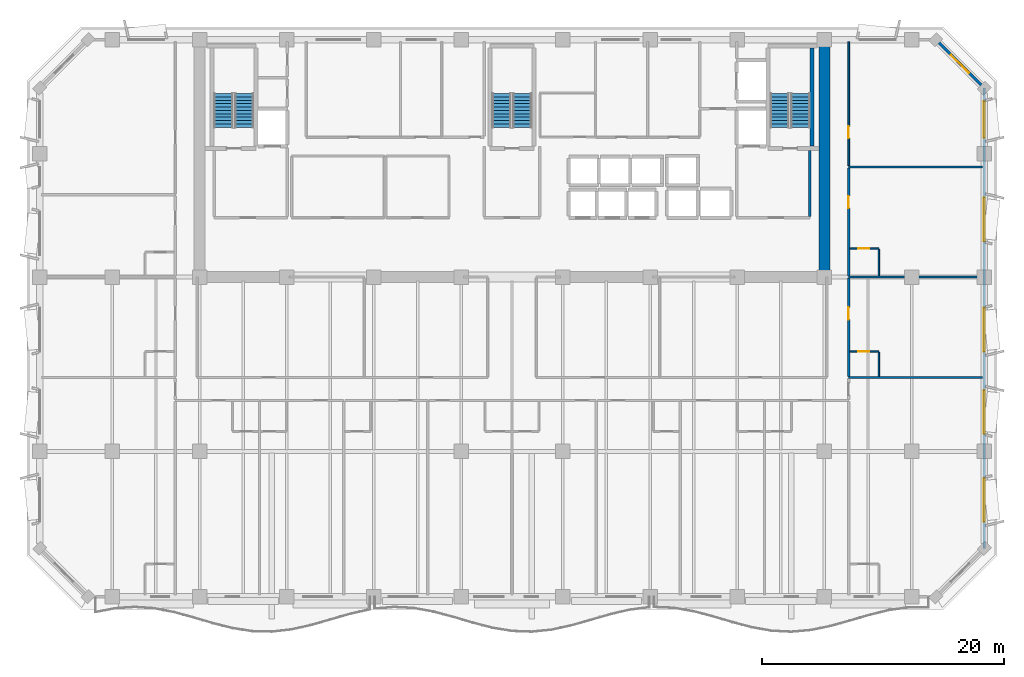
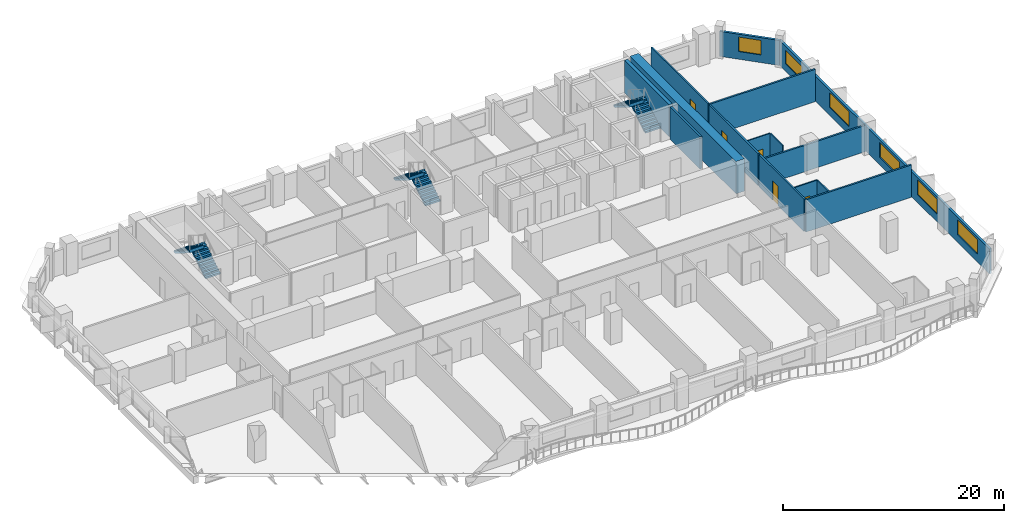
# One storey, part 9 of 14: 15 walls, 6 stair flights, 6 windows, 5 doors, 11 openings, 3 elements without a shape of their own.
"""IFC4 building model written with IfcOpenShell, lengths in metres."""

import ifcopenshell
import ifcopenshell.guid

model = None  # the IFC model being written
_history = None  # IfcOwnerHistory: only IFC2X3 demands one
_inside = {}  # id of a spatial element -> (the spatial element, [elements in it])
_under = {}  # id of a project, library or spatial element -> (it, [spatial elements below it])
_declared = {}  # id of a project -> (the project, [libraries it declares])
_typed = {}  # id of a type object -> (the type object, [elements of that type])
_made_of = {}  # id of a material, layer set ... -> (it, [elements and type objects made of it])


def new_model(schema):
    """Start an empty IFC model of exactly this schema.

    Asked for "IFC4X3", IfcOpenShell would pick the latest addendum, in which some entities
    have other attributes; the version numbers below select the first issue.
    IFC2X3 requires an IfcOwnerHistory on every rooted entity: one is made here for all.
    """
    global model, _history
    if schema == "IFC4X3":
        model = ifcopenshell.file(schema_version=(4, 3, 0, 0))
    else:
        model = ifcopenshell.file(schema=schema)
    _inside.clear()
    _under.clear()
    _declared.clear()
    _typed.clear()
    _made_of.clear()
    _history = None
    if model.schema == "IFC2X3":
        org = make("IfcOrganization", Name="unknown")
        user = make(
            "IfcPersonAndOrganization",
            ThePerson=make("IfcPerson", FamilyName="unknown"),
            TheOrganization=org,
        )
        app = make(
            "IfcApplication",
            ApplicationDeveloper=org,
            Version="unknown",
            ApplicationFullName="unknown",
            ApplicationIdentifier="unknown",
        )
        _history = make(
            "IfcOwnerHistory",
            OwningUser=user,
            OwningApplication=app,
            ChangeAction="ADDED",
            CreationDate=0,
        )
    return model


def make(cls, **values):
    """One entity of the class cls with the attributes given. An attribute that is None is left unset."""
    return model.create_entity(
        cls, **{name: value for name, value in values.items() if value is not None}
    )


def rooted(cls, **values):
    """An entity with a GlobalId (a new one), such as an element, a storey or a relation."""
    return make(cls, GlobalId=ifcopenshell.guid.new(), OwnerHistory=_history, **values)


def si_unit(unit_type, name, prefix=None):
    """IfcSIUnit, for example si_unit("LENGTHUNIT", "METRE", prefix="MILLI")."""
    return make("IfcSIUnit", UnitType=unit_type, Prefix=prefix, Name=name)


def assignment(units):
    """IfcUnitAssignment: the units of a project."""
    return None if units is None else make("IfcUnitAssignment", Units=units)


def point(xyz):
    """IfcCartesianPoint."""
    return None if xyz is None else make("IfcCartesianPoint", Coordinates=xyz)


def direction(xyz):
    """IfcDirection."""
    return None if xyz is None else make("IfcDirection", DirectionRatios=xyz)


def frame(location, z_axis=None, x_axis=None):
    """IfcAxis2Placement3D, a coordinate frame: its origin and axes. An axis left out is left unset."""
    return make(
        "IfcAxis2Placement3D",
        Location=point(location),
        Axis=direction(z_axis),
        RefDirection=direction(x_axis),
    )


def frame_2d(location, x_axis=None):
    """IfcAxis2Placement2D, a coordinate frame in the plane: its origin and x axis."""
    return make(
        "IfcAxis2Placement2D", Location=point(location), RefDirection=direction(x_axis)
    )


def origin():
    """The frame at (0, 0, 0) with its axes left unset."""
    return frame((0.0, 0.0, 0.0))


def place(relative_to, where):
    """IfcLocalPlacement: puts the frame where relative to a parent placement (None: the world)."""
    return make(
        "IfcLocalPlacement", PlacementRelTo=relative_to, RelativePlacement=where
    )


def context(
    kind, dimensions, precision=None, world=None, true_north=None, identifier=None
):
    """IfcGeometricRepresentationContext, for example the 3D "Model" context."""
    return make(
        "IfcGeometricRepresentationContext",
        ContextIdentifier=identifier,
        ContextType=kind,
        CoordinateSpaceDimension=dimensions,
        Precision=precision,
        WorldCoordinateSystem=world,
        TrueNorth=true_north,
    )


def subcontext(parent, identifier, kind, view, scale=None):
    """IfcGeometricRepresentationSubContext, for example "Body" below "Model"."""
    return make(
        "IfcGeometricRepresentationSubContext",
        ContextIdentifier=identifier,
        ContextType=kind,
        ParentContext=parent,
        TargetScale=scale,
        TargetView=view,
    )


def project(units=None, contexts=None):
    """IfcProject with its units and contexts."""
    return rooted(
        "IfcProject",
        Name="project",
        RepresentationContexts=contexts,
        UnitsInContext=assignment(units),
    )


def spatial(cls, under=None, at=None, **own):
    """A site, building, storey or space (cls), placed at a placement, below another one or the project."""
    s = rooted(cls, ObjectPlacement=at, **own)
    if under is not None:
        _under.setdefault(under.id(), (under, []))[1].append(s)
    return s


def polyline(points):
    """IfcPolyline through the points."""
    return make("IfcPolyline", Points=[point(p) for p in points])


def profile(cls, at=None, kind="AREA", **sizes):
    """A parametric profile (cls). Its sizes go by their IFC names, for example OverallWidth=200.0."""
    return make(cls, ProfileType=kind, Position=at, **sizes)


def rectangle(**sizes):
    """IfcRectangleProfileDef."""
    return profile("IfcRectangleProfileDef", **sizes)


def outline(outer, holes=None, kind="AREA"):
    """IfcArbitraryClosedProfileDef: a profile drawn as a closed curve; with holes, ...WithVoids."""
    if holes is None:
        return make("IfcArbitraryClosedProfileDef", ProfileType=kind, OuterCurve=outer)
    return make(
        "IfcArbitraryProfileDefWithVoids",
        ProfileType=kind,
        OuterCurve=outer,
        InnerCurves=holes,
    )


def extrude(swept, where, along, depth):
    """IfcExtrudedAreaSolid: the profile swept, set in the frame where, extruded along a direction by depth."""
    return make(
        "IfcExtrudedAreaSolid",
        SweptArea=swept,
        Position=where,
        ExtrudedDirection=direction(along),
        Depth=depth,
    )


def shape(context_of_items, identifier, shape_type, items):
    """IfcShapeRepresentation: the items that make up one representation, for example the "Body"."""
    return make(
        "IfcShapeRepresentation",
        ContextOfItems=context_of_items,
        RepresentationIdentifier=identifier,
        RepresentationType=shape_type,
        Items=items,
    )


def material(Name=None, Category=None):
    """IfcMaterial."""
    return make("IfcMaterial", Name=Name, Category=Category)


def layer(
    of_material, thickness, ventilated=None, Name=None, Category=None, Priority=None
):
    """IfcMaterialLayer: one layer of a wall or slab, of a material (None: an air gap)."""
    return make(
        "IfcMaterialLayer",
        Material=of_material,
        LayerThickness=thickness,
        IsVentilated=ventilated,
        Name=Name,
        Category=Category,
        Priority=Priority,
    )


def layer_set(layers, Name=None):
    """IfcMaterialLayerSet."""
    return make("IfcMaterialLayerSet", MaterialLayers=layers, LayerSetName=Name)


def made_of(thing, what):
    """Note that an element or type object is made of a material, layer set ...; save() writes the relation."""
    if what is not None:
        _made_of.setdefault(what.id(), (what, []))[1].append(thing)
    return thing


def type_object(cls, material=None, **own):
    """A type object (cls), such as IfcWallType, which elements share."""
    return made_of(rooted(cls, **own), material)


def element(
    cls,
    number,
    at=None,
    inside=None,
    cuts=None,
    type_object=None,
    material=None,
    context=None,
    identifier="Body",
    shape_type=None,
    held_by="IfcProductDefinitionShape",
    body=None,
    shapes=None,
    **own,
):
    """One element of the class cls, such as IfcWall. Its Tag is "e" and its number.

    at: its placement. inside: the storey or other place that contains it. cuts: it is an
    opening in that element (IfcRelVoidsElement). A single representation is given by context,
    identifier, shape_type and body (its items); several are given by shapes. held_by: the class
    of the entity that holds the representations. save() writes the other relations.
    """
    e = rooted(cls, Tag="e%d" % number, ObjectPlacement=at, **own)
    if body is not None:
        shapes = [shape(context, identifier, shape_type, body)]
    if shapes is not None:
        e.Representation = make(held_by, Representations=shapes)
    if inside is not None:
        _inside.setdefault(inside.id(), (inside, []))[1].append(e)
    if cuts is not None:
        rooted(
            "IfcRelVoidsElement", RelatingBuildingElement=cuts, RelatedOpeningElement=e
        )
    if type_object is not None:
        _typed.setdefault(type_object.id(), (type_object, []))[1].append(e)
    return made_of(e, material)


def fill(opening, filler):
    """IfcRelFillsElement: the door or window that sits in an opening."""
    return rooted(
        "IfcRelFillsElement",
        RelatingOpeningElement=opening,
        RelatedBuildingElement=filler,
    )


def aggregate(whole, parts):
    """IfcRelAggregates: a whole, such as a stair, and the parts it consists of."""
    return rooted("IfcRelAggregates", RelatingObject=whole, RelatedObjects=parts)


def save(model, path):
    """Write the relations noted so far, then the file.

    IfcRelAggregates (storeys below a building ...), IfcRelContainedInSpatialStructure (elements
    in a storey), IfcRelDefinesByType, IfcRelAssociatesMaterial and IfcRelDeclares: one each for
    every whole, place, type object, material and project.
    """
    for whole, parts in _under.values():
        aggregate(whole, parts)
    for where, things in _inside.values():
        rooted(
            "IfcRelContainedInSpatialStructure",
            RelatedElements=things,
            RelatingStructure=where,
        )
    for kind, things in _typed.values():
        rooted("IfcRelDefinesByType", RelatedObjects=things, RelatingType=kind)
    for what, things in _made_of.values():
        rooted("IfcRelAssociatesMaterial", RelatedObjects=things, RelatingMaterial=what)
    for by, libraries in _declared.values():
        rooted("IfcRelDeclares", RelatingContext=by, RelatedDefinitions=libraries)
    model.write(path)


model = new_model("IFC4")

# Units and contexts
model_context = context("Model", 3, precision=1e-05, world=origin(), true_north=direction((0.0, 1.0)))
body_context = subcontext(model_context, "Body", "Model", "MODEL_VIEW")
ifc_project = project(units=[si_unit("LENGTHUNIT", "METRE"), si_unit("AREAUNIT", "SQUARE_METRE"), si_unit("VOLUMEUNIT", "CUBIC_METRE"), si_unit("PLANEANGLEUNIT", "RADIAN"), si_unit("MASSUNIT", "GRAM", prefix="KILO")], contexts=[model_context])

# Site, building, storey
site_placement = place(None, origin())
site = spatial("IfcSite", under=ifc_project, at=site_placement, CompositionType="ELEMENT")
building_placement = place(site_placement, origin())
building = spatial("IfcBuilding", under=site, at=building_placement, Name="Kaelvorn Grand Hotel", CompositionType="ELEMENT")
storey_placement = place(building_placement, frame((0.0, 0.0, 169.550048828125)))
storey = spatial("IfcBuildingStorey", under=building, at=storey_placement, Name="L41", CompositionType="ELEMENT", Elevation=169.550048828125)

# Wall
ifc_material_1 = material(Name="Concrete C60/75", Category="concrete")
ifc_layer_1 = layer(ifc_material_1, 0.89990234375)
ifc_layer_set_1 = layer_set([ifc_layer_1], Name="Concrete C60/75")
wall_type_1 = type_object("IfcWallType", Name="WL-CORE-900-C60", PredefinedType="SHEAR", material=ifc_layer_set_1)
wall_1_placement = place(storey_placement, frame((67.800048828125, 29.39990234375, 0.0), z_axis=(0.0, 0.0, 1.0), x_axis=(0.0, 1.0, 0.0)))
element("IfcWall", 1, at=wall_1_placement, inside=storey, type_object=wall_type_1, Name="L41 Rear-Core East Shear Wall", PredefinedType="SHEAR", context=body_context, shape_type="SweptSolid", body=[
    extrude(rectangle(XDim=19.2001953125, YDim=0.89990234375, at=frame_2d((9.60009765625, 0.0))), origin(), (0.0, 0.0, 1.0), 3.56005859375),
])

# Wall, openings, windows
ifc_material_2 = material(Name="Concrete C40/50", Category="concrete")
ifc_layer_2 = layer(ifc_material_2, 0.239990234375)
ifc_layer_set_2 = layer_set([ifc_layer_2], Name="Concrete C40/50")
wall_type_2 = type_object("IfcWallType", Name="WL-EXT-240-C40", PredefinedType="SOLIDWALL", material=ifc_layer_set_2)
wall_2_placement = place(storey_placement, frame((81.0, 7.0, 0.0), z_axis=(0.0, 0.0, 1.0), x_axis=(0.0, 1.0, 0.0)))
wall_2 = element("IfcWall", 2, at=wall_2_placement, inside=storey, type_object=wall_type_2, Name="L41 Exterior Architectural Concrete Wall 03", PredefinedType="SOLIDWALL", context=body_context, shape_type="SweptSolid", body=[
    extrude(rectangle(XDim=38.0, YDim=0.239990234375, at=frame_2d((19.0, 0.0))), origin(), (0.0, 0.0, 1.0), 2.760009765625),
])
opening_1_placement = place(wall_2_placement, frame((2.199951171875, 0.0, 0.85009765625)))
opening_1 = element("IfcOpeningElement", 3, at=opening_1_placement, cuts=wall_2, Name="Opening W3", PredefinedType="OPENING", context=body_context, shape_type="SweptSolid", body=[
    extrude(rectangle(XDim=3.60009765625, YDim=1.64990234375, at=frame_2d((1.800048828125, 0.824951171875))), frame((0.0, 0.1298828125, 0.0), z_axis=(0.0, -1.0, 0.0), x_axis=(1.0, 0.0, 0.0)), (0.0, 0.0, 1.0), 0.260009765625),
])
opening_2_placement = place(wall_2_placement, frame((9.449951171875, 0.0, 0.85009765625)))
opening_2 = element("IfcOpeningElement", 4, at=opening_2_placement, cuts=wall_2, Name="Opening W3", PredefinedType="OPENING", context=body_context, shape_type="SweptSolid", body=[
    extrude(rectangle(XDim=3.60009765625, YDim=1.64990234375, at=frame_2d((1.800048828125, 0.824951171875))), frame((0.0, 0.1298828125, 0.0), z_axis=(0.0, -1.0, 0.0), x_axis=(1.0, 0.0, 0.0)), (0.0, 0.0, 1.0), 0.260009765625),
])
opening_3_placement = place(wall_2_placement, frame((16.25, 0.0, 0.85009765625)))
opening_3 = element("IfcOpeningElement", 5, at=opening_3_placement, cuts=wall_2, Name="Opening W3", PredefinedType="OPENING", context=body_context, shape_type="SweptSolid", body=[
    extrude(rectangle(XDim=3.60009765625, YDim=1.64990234375, at=frame_2d((1.800048828125, 0.824951171875))), frame((0.0, 0.1298828125, 0.0), z_axis=(0.0, -1.0, 0.0), x_axis=(1.0, 0.0, 0.0)), (0.0, 0.0, 1.0), 0.260009765625),
])
opening_4_placement = place(wall_2_placement, frame((25.35009765625, 0.0, 0.85009765625)))
opening_4 = element("IfcOpeningElement", 6, at=opening_4_placement, cuts=wall_2, Name="Opening W3", PredefinedType="OPENING", context=body_context, shape_type="SweptSolid", body=[
    extrude(rectangle(XDim=3.60009765625, YDim=1.64990234375, at=frame_2d((1.800048828125, 0.824951171875))), frame((0.0, 0.1298828125, 0.0), z_axis=(0.0, -1.0, 0.0), x_axis=(1.0, 0.0, 0.0)), (0.0, 0.0, 1.0), 0.260009765625),
])
opening_5_placement = place(wall_2_placement, frame((33.9150390625, 0.0, 0.85009765625)))
opening_5 = element("IfcOpeningElement", 7, at=opening_5_placement, cuts=wall_2, Name="Opening W5", PredefinedType="OPENING", context=body_context, shape_type="SweptSolid", body=[
    extrude(rectangle(XDim=3.0, YDim=1.5, at=frame_2d((1.5, 0.75))), frame((0.0, 0.1298828125, 0.0), z_axis=(0.0, -1.0, 0.0), x_axis=(1.0, 0.0, 0.0)), (0.0, 0.0, 1.0), 0.260009765625),
])
ifc_material_3 = material(Name="Laminated Low-E Glass", Category="glass")
window_type_1 = type_object("IfcWindowType", Name="WIN-NTH-3000x1500", PartitioningType="SINGLE_PANEL", PredefinedType="WINDOW", material=ifc_material_3)
window_1_placement = place(opening_5_placement, origin())
window_1 = element("IfcWindow", 8, at=window_1_placement, inside=storey, type_object=window_type_1, Name="L41 E Wing Tilted-Frame Ribbon Window E05", OverallHeight=1.5, OverallWidth=3.0, PartitioningType="SINGLE_PANEL", PredefinedType="WINDOW", context=body_context, shape_type="SweptSolid", body=[
    extrude(rectangle(XDim=3.0, YDim=1.5, at=frame_2d((1.5, 0.75))), frame((0.0, 0.030029296875, 0.0), z_axis=(0.0, -1.0, 0.0), x_axis=(1.0, 0.0, 0.0)), (0.0, 0.0, 1.0), 0.06005859375),
])
fill(opening_5, window_1)
window_type_2 = type_object("IfcWindowType", Name="WIN-RIB-3600x1750", PartitioningType="SINGLE_PANEL", PredefinedType="WINDOW", material=ifc_material_3)
window_2_placement = place(opening_1_placement, origin())
window_2 = element("IfcWindow", 9, at=window_2_placement, inside=storey, type_object=window_type_2, Name="L41 E Wing Tilted-Frame Ribbon Window E01", OverallHeight=1.64990234375, OverallWidth=3.60009765625, PartitioningType="SINGLE_PANEL", PredefinedType="WINDOW", context=body_context, shape_type="SweptSolid", body=[
    extrude(rectangle(XDim=3.60009765625, YDim=1.64990234375, at=frame_2d((1.800048828125, 0.824951171875))), frame((0.0, 0.030029296875, 0.0), z_axis=(0.0, -1.0, 0.0), x_axis=(1.0, 0.0, 0.0)), (0.0, 0.0, 1.0), 0.06005859375),
])
fill(opening_1, window_2)
window_3_placement = place(opening_2_placement, origin())
window_3 = element("IfcWindow", 10, at=window_3_placement, inside=storey, type_object=window_type_2, Name="L41 E Wing Tilted-Frame Ribbon Window E02", OverallHeight=1.64990234375, OverallWidth=3.60009765625, PartitioningType="SINGLE_PANEL", PredefinedType="WINDOW", context=body_context, shape_type="SweptSolid", body=[
    extrude(rectangle(XDim=3.60009765625, YDim=1.64990234375, at=frame_2d((1.800048828125, 0.824951171875))), frame((0.0, 0.030029296875, 0.0), z_axis=(0.0, -1.0, 0.0), x_axis=(1.0, 0.0, 0.0)), (0.0, 0.0, 1.0), 0.06005859375),
])
fill(opening_2, window_3)
window_4_placement = place(opening_3_placement, origin())
window_4 = element("IfcWindow", 11, at=window_4_placement, inside=storey, type_object=window_type_2, Name="L41 E Wing Tilted-Frame Ribbon Window E03", OverallHeight=1.64990234375, OverallWidth=3.60009765625, PartitioningType="SINGLE_PANEL", PredefinedType="WINDOW", context=body_context, shape_type="SweptSolid", body=[
    extrude(rectangle(XDim=3.60009765625, YDim=1.64990234375, at=frame_2d((1.800048828125, 0.824951171875))), frame((0.0, 0.030029296875, 0.0), z_axis=(0.0, -1.0, 0.0), x_axis=(1.0, 0.0, 0.0)), (0.0, 0.0, 1.0), 0.06005859375),
])
fill(opening_3, window_4)
window_5_placement = place(opening_4_placement, origin())
window_5 = element("IfcWindow", 12, at=window_5_placement, inside=storey, type_object=window_type_2, Name="L41 E Wing Tilted-Frame Ribbon Window E04", OverallHeight=1.64990234375, OverallWidth=3.60009765625, PartitioningType="SINGLE_PANEL", PredefinedType="WINDOW", context=body_context, shape_type="SweptSolid", body=[
    extrude(rectangle(XDim=3.60009765625, YDim=1.64990234375, at=frame_2d((1.800048828125, 0.824951171875))), frame((0.0, 0.030029296875, 0.0), z_axis=(0.0, -1.0, 0.0), x_axis=(1.0, 0.0, 0.0)), (0.0, 0.0, 1.0), 0.06005859375),
])
fill(opening_4, window_5)

# Wall, opening, window
wall_3_placement = place(storey_placement, frame((81.0, 45.0, 0.0), z_axis=(0.0, 0.0, 1.0), x_axis=(-0.707106781187, 0.707106781187, 0.0)))
wall_3 = element("IfcWall", 13, at=wall_3_placement, inside=storey, type_object=wall_type_2, Name="L41 Exterior Architectural Concrete Wall 04", PredefinedType="SOLIDWALL", context=body_context, shape_type="SweptSolid", body=[
    extrude(rectangle(XDim=5.65673828125, YDim=0.239990234375, at=frame_2d((2.828369140625, 0.0))), origin(), (0.0, 0.0, 1.0), 2.760009765625),
])
opening_6_placement = place(wall_3_placement, frame((1.7783203125, 0.0, 0.85009765625)))
opening_6 = element("IfcOpeningElement", 14, at=opening_6_placement, cuts=wall_3, Name="Opening W7", PredefinedType="OPENING", context=body_context, shape_type="SweptSolid", body=[
    extrude(rectangle(XDim=2.10009765625, YDim=1.60009765625, at=frame_2d((1.050048828125, 0.800048828125))), frame((0.0, 0.1298828125, 0.0), z_axis=(0.0, -1.0, 0.0), x_axis=(1.0, 0.0, 0.0)), (0.0, 0.0, 1.0), 0.260009765625),
])
window_type_3 = type_object("IfcWindowType", Name="WIN-CHM-2100x1600", PartitioningType="SINGLE_PANEL", PredefinedType="WINDOW", material=ifc_material_3)
window_6_placement = place(opening_6_placement, origin())
window_6 = element("IfcWindow", 15, at=window_6_placement, inside=storey, type_object=window_type_3, Name="L41 Chamfered 45-Degree Corner Window NE", OverallHeight=1.60009765625, OverallWidth=2.10009765625, PartitioningType="SINGLE_PANEL", PredefinedType="WINDOW", context=body_context, shape_type="SweptSolid", body=[
    extrude(rectangle(XDim=2.10009765625, YDim=1.60009765625, at=frame_2d((1.050048828125, 0.800048828125))), frame((0.0, 0.030029296875, 0.0), z_axis=(0.0, -1.0, 0.0), x_axis=(1.0, 0.0, 0.0)), (0.0, 0.0, 1.0), 0.06005859375),
])
fill(opening_6, window_6)

# Wall, opening, door
ifc_material_4 = material(Name="Moisture-Resistant Tile & Stud Board")
ifc_layer_3 = layer(ifc_material_4, 0.125)
ifc_layer_set_3 = layer_set([ifc_layer_3], Name="Moisture-Resistant Tile & Stud Board")
wall_type_3 = type_object("IfcWallType", Name="WL-PART-125-WET", PredefinedType="PARTITIONING", material=ifc_layer_set_3)
wall_4_placement = place(storey_placement, frame((69.89501953125, 23.260009765625, 0.0), z_axis=(0.0, 0.0, 1.0), x_axis=(1.0, 0.0, 0.0)))
wall_4 = element("IfcWall", 16, at=wall_4_placement, inside=storey, type_object=wall_type_3, Name="L41 En-suite Bathroom L41-12 N Partition", PredefinedType="PARTITIONING", context=body_context, shape_type="SweptSolid", body=[
    extrude(rectangle(XDim=2.405029296875, YDim=0.125, at=frame_2d((1.20263671875, 0.0))), origin(), (0.0, 0.0, 1.0), 3.56005859375),
])
opening_7_placement = place(wall_4_placement, frame((0.705078125, 0.0, 0.0)))
opening_7 = element("IfcOpeningElement", 17, at=opening_7_placement, cuts=wall_4, Name="Opening DI4", PredefinedType="OPENING", context=body_context, shape_type="SweptSolid", body=[
    extrude(rectangle(XDim=0.89990234375, YDim=2.10009765625, at=frame_2d((0.449951171875, 1.050048828125))), frame((0.0, 0.072509765625, 0.0), z_axis=(0.0, -1.0, 0.0), x_axis=(1.0, 0.0, 0.0)), (0.0, 0.0, 1.0), 0.14501953125),
])
ifc_material_5 = material(Name="Timber Veneer Leaf", Category="wood")
door_type_1 = type_object("IfcDoorType", Name="DR-INT-BATH-900x2100", OperationType="NOTDEFINED", PredefinedType="DOOR", material=ifc_material_5)
door_1_placement = place(opening_7_placement, origin())
door_1 = element("IfcDoor", 18, at=door_1_placement, inside=storey, type_object=door_type_1, Name="L41 En-suite Bathroom L41-12 Door", OperationType="SINGLE_SWING_RIGHT", OverallHeight=2.10009765625, OverallWidth=0.89990234375, PredefinedType="DOOR", context=body_context, shape_type="SweptSolid", body=[
    extrude(rectangle(XDim=0.89990234375, YDim=2.10009765625, at=frame_2d((0.449951171875, 1.050048828125))), frame((0.0, 0.02490234375, 0.0), z_axis=(0.0, -1.0, 0.0), x_axis=(1.0, 0.0, 0.0)), (0.0, 0.0, 1.0), 0.050048828125),
])
fill(opening_7, door_1)

# Wall
wall_5_placement = place(storey_placement, frame((72.300048828125, 21.195068359375, 0.0), z_axis=(0.0, 0.0, 1.0), x_axis=(0.0, 1.0, 0.0)))
element("IfcWall", 19, at=wall_5_placement, inside=storey, type_object=wall_type_3, Name="L41 En-suite Bathroom L41-12 E Partition", PredefinedType="PARTITIONING", context=body_context, shape_type="SweptSolid", body=[
    extrude(rectangle(XDim=1.997314453125, YDim=0.125, at=frame_2d((0.99853515625, 0.0))), origin(), (0.0, 0.0, 1.0), 3.56005859375),
])

# Wall, opening, door
wall_6_placement = place(storey_placement, frame((69.89501953125, 31.77001953125, 0.0), z_axis=(0.0, 0.0, 1.0), x_axis=(1.0, 0.0, 0.0)))
wall_6 = element("IfcWall", 20, at=wall_6_placement, inside=storey, type_object=wall_type_3, Name="L41 En-suite Bathroom L41-14 N Partition", PredefinedType="PARTITIONING", context=body_context, shape_type="SweptSolid", body=[
    extrude(rectangle(XDim=2.405029296875, YDim=0.125, at=frame_2d((1.20263671875, 0.0))), origin(), (0.0, 0.0, 1.0), 3.56005859375),
])
opening_8_placement = place(wall_6_placement, frame((0.705078125, 0.0, 0.0)))
opening_8 = element("IfcOpeningElement", 21, at=opening_8_placement, cuts=wall_6, Name="Opening DI4", PredefinedType="OPENING", context=body_context, shape_type="SweptSolid", body=[
    extrude(rectangle(XDim=0.89990234375, YDim=2.10009765625, at=frame_2d((0.449951171875, 1.050048828125))), frame((0.0, 0.072509765625, 0.0), z_axis=(0.0, -1.0, 0.0), x_axis=(1.0, 0.0, 0.0)), (0.0, 0.0, 1.0), 0.14501953125),
])
door_2_placement = place(opening_8_placement, origin())
door_2 = element("IfcDoor", 22, at=door_2_placement, inside=storey, type_object=door_type_1, Name="L41 En-suite Bathroom L41-14 Door", OperationType="SINGLE_SWING_LEFT", OverallHeight=2.10009765625, OverallWidth=0.89990234375, PredefinedType="DOOR", context=body_context, shape_type="SweptSolid", body=[
    extrude(rectangle(XDim=0.89990234375, YDim=2.10009765625, at=frame_2d((0.449951171875, 1.050048828125))), frame((0.0, 0.02490234375, 0.0), z_axis=(0.0, -1.0, 0.0), x_axis=(1.0, 0.0, 0.0)), (0.0, 0.0, 1.0), 0.050048828125),
])
fill(opening_8, door_2)

# Wall
wall_7_placement = place(storey_placement, frame((72.300048828125, 29.4951171875, 0.0), z_axis=(0.0, 0.0, 1.0), x_axis=(0.0, 1.0, 0.0)))
element("IfcWall", 23, at=wall_7_placement, inside=storey, type_object=wall_type_3, Name="L41 En-suite Bathroom L41-14 E Partition", PredefinedType="PARTITIONING", context=body_context, shape_type="SweptSolid", body=[
    extrude(rectangle(XDim=2.207275390625, YDim=0.125, at=frame_2d((1.103515625, 0.0))), origin(), (0.0, 0.0, 1.0), 3.56005859375),
])

# Wall, opening, door
ifc_material_6 = material(Name="Acoustic Gypsum & Stud Partition")
ifc_layer_4 = layer(ifc_material_6, 0.14990234375)
ifc_layer_set_4 = layer_set([ifc_layer_4], Name="Acoustic Gypsum & Stud Partition")
wall_type_4 = type_object("IfcWallType", Name="WL-PART-150-EI60", PredefinedType="PARTITIONING", material=ifc_layer_set_4)
wall_8_placement = place(storey_placement, frame((69.800048828125, 38.594970703125, 0.0), z_axis=(0.0, 0.0, 1.0), x_axis=(0.0, 1.0, 0.0)))
wall_8 = element("IfcWall", 24, at=wall_8_placement, inside=storey, type_object=wall_type_4, Name="L41 North-East Diplomatic Living Room W Partition", PredefinedType="PARTITIONING", context=body_context, shape_type="SweptSolid", body=[
    extrude(rectangle(XDim=10.255126953125, YDim=0.14990234375, at=frame_2d((5.12744140625, 0.0))), origin(), (0.0, 0.0, 1.0), 3.56005859375),
])
opening_9_placement = place(wall_8_placement, frame((2.2548828125, 0.0, 0.0)))
opening_9 = element("IfcOpeningElement", 25, at=opening_9_placement, cuts=wall_8, Name="Opening DI3", PredefinedType="OPENING", context=body_context, shape_type="SweptSolid", body=[
    extrude(rectangle(XDim=1.0, YDim=2.14990234375, at=frame_2d((0.5, 1.074951171875))), frame((0.0, 0.0849609375, 0.0), z_axis=(0.0, -1.0, 0.0), x_axis=(1.0, 0.0, 0.0)), (0.0, 0.0, 1.0), 0.169921875),
])
ifc_material_7 = material(Name="Timber Veneer Fire Leaf", Category="wood")
door_type_2 = type_object("IfcDoorType", Name="DR-INT-GUEST-1000x2150", OperationType="NOTDEFINED", PredefinedType="DOOR", material=ifc_material_7)
door_3_placement = place(opening_9_placement, origin())
door_3 = element("IfcDoor", 26, at=door_3_placement, inside=storey, type_object=door_type_2, Name="L41 North-East Diplomatic Living Room Door", OperationType="SINGLE_SWING_RIGHT", OverallHeight=2.14990234375, OverallWidth=1.0, PredefinedType="DOOR", context=body_context, shape_type="SweptSolid", body=[
    extrude(rectangle(XDim=1.0, YDim=2.14990234375, at=frame_2d((0.5, 1.074951171875))), frame((0.0, 0.02490234375, 0.0), z_axis=(0.0, -1.0, 0.0), x_axis=(1.0, 0.0, 0.0)), (0.0, 0.0, 1.0), 0.050048828125),
])
fill(opening_9, door_3)

# Walls
ifc_layer_5 = layer(ifc_material_6, 0.179931640625)
ifc_layer_set_5 = layer_set([ifc_layer_5], Name="Acoustic Gypsum & Stud Partition")
wall_type_5 = type_object("IfcWallType", Name="WL-PART-180-EI60", PredefinedType="PARTITIONING", material=ifc_layer_set_5)
wall_9_placement = place(storey_placement, frame((69.800048828125, 21.10009765625, 0.0), z_axis=(0.0, 0.0, 1.0), x_axis=(1.0, 0.0, 0.0)))
element("IfcWall", 27, at=wall_9_placement, inside=storey, type_object=wall_type_5, Name="L41 South-East Chamfer Suite L41-11 N Partition", PredefinedType="PARTITIONING", context=body_context, shape_type="SweptSolid", body=[
    extrude(rectangle(XDim=11.050048828125, YDim=0.179931640625, at=frame_2d((5.52490234375, 0.0))), origin(), (0.0, 0.0, 1.0), 3.56005859375),
])
wall_10_placement = place(storey_placement, frame((69.800048828125, 29.39990234375, 0.0), z_axis=(0.0, 0.0, 1.0), x_axis=(1.0, 0.0, 0.0)))
element("IfcWall", 28, at=wall_10_placement, inside=storey, type_object=wall_type_5, Name="L41 East End Panoramic Suite L41-12 N Partition", PredefinedType="PARTITIONING", context=body_context, shape_type="SweptSolid", body=[
    extrude(rectangle(XDim=11.050048828125, YDim=0.179931640625, at=frame_2d((5.52490234375, 0.0))), origin(), (0.0, 0.0, 1.0), 2.909912109375),
])

# Wall, opening, door
wall_11_placement = place(storey_placement, frame((69.800048828125, 21.195068359375, 0.0), z_axis=(0.0, 0.0, 1.0), x_axis=(0.0, 1.0, 0.0)))
wall_11 = element("IfcWall", 29, at=wall_11_placement, inside=storey, type_object=wall_type_5, Name="L41 East End Panoramic Suite L41-12 W Partition", PredefinedType="PARTITIONING", context=body_context, shape_type="SweptSolid", body=[
    extrude(rectangle(XDim=8.10986328125, YDim=0.179931640625, at=frame_2d((4.054931640625, 0.0))), origin(), (0.0, 0.0, 1.0), 3.56005859375),
])
opening_10_placement = place(wall_11_placement, frame((4.695068359375, 0.0, 0.0)))
opening_10 = element("IfcOpeningElement", 30, at=opening_10_placement, cuts=wall_11, Name="Opening DI3", PredefinedType="OPENING", context=body_context, shape_type="SweptSolid", body=[
    extrude(rectangle(XDim=1.0, YDim=2.14990234375, at=frame_2d((0.5, 1.074951171875))), frame((0.0, 0.10009765625, 0.0), z_axis=(0.0, -1.0, 0.0), x_axis=(1.0, 0.0, 0.0)), (0.0, 0.0, 1.0), 0.199951171875),
])
door_4_placement = place(opening_10_placement, origin())
door_4 = element("IfcDoor", 31, at=door_4_placement, inside=storey, type_object=door_type_2, Name="L41 East End Panoramic Suite L41-12 Door", OperationType="SINGLE_SWING_LEFT", OverallHeight=2.14990234375, OverallWidth=1.0, PredefinedType="DOOR", context=body_context, shape_type="SweptSolid", body=[
    extrude(rectangle(XDim=1.0, YDim=2.14990234375, at=frame_2d((0.5, 1.074951171875))), frame((0.0, 0.02490234375, 0.0), z_axis=(0.0, -1.0, 0.0), x_axis=(1.0, 0.0, 0.0)), (0.0, 0.0, 1.0), 0.050048828125),
])
fill(opening_10, door_4)

# Wall
wall_12_placement = place(storey_placement, frame((69.800048828125, 38.5, 0.0), z_axis=(0.0, 0.0, 1.0), x_axis=(1.0, 0.0, 0.0)))
element("IfcWall", 32, at=wall_12_placement, inside=storey, type_object=wall_type_5, Name="L41 North-East Wing Suite L41-14 N Partition", PredefinedType="PARTITIONING", context=body_context, shape_type="SweptSolid", body=[
    extrude(rectangle(XDim=11.050048828125, YDim=0.179931640625, at=frame_2d((5.52490234375, 0.0))), origin(), (0.0, 0.0, 1.0), 3.56005859375),
])

# Wall, opening, door
wall_13_placement = place(storey_placement, frame((69.800048828125, 29.4951171875, 0.0), z_axis=(0.0, 0.0, 1.0), x_axis=(0.0, 1.0, 0.0)))
wall_13 = element("IfcWall", 33, at=wall_13_placement, inside=storey, type_object=wall_type_5, Name="L41 North-East Wing Suite L41-14 W Partition", PredefinedType="PARTITIONING", context=body_context, shape_type="SweptSolid", body=[
    extrude(rectangle(XDim=8.909912109375, YDim=0.179931640625, at=frame_2d((4.455078125, 0.0))), origin(), (0.0, 0.0, 1.0), 3.56005859375),
])
opening_11_placement = place(wall_13_placement, frame((5.590087890625, 0.0, 0.0)))
opening_11 = element("IfcOpeningElement", 34, at=opening_11_placement, cuts=wall_13, Name="Opening DI3", PredefinedType="OPENING", context=body_context, shape_type="SweptSolid", body=[
    extrude(rectangle(XDim=1.0, YDim=2.14990234375, at=frame_2d((0.5, 1.074951171875))), frame((0.0, 0.10009765625, 0.0), z_axis=(0.0, -1.0, 0.0), x_axis=(1.0, 0.0, 0.0)), (0.0, 0.0, 1.0), 0.199951171875),
])
door_5_placement = place(opening_11_placement, origin())
door_5 = element("IfcDoor", 35, at=door_5_placement, inside=storey, type_object=door_type_2, Name="L41 North-East Wing Suite L41-14 Door", OperationType="SINGLE_SWING_RIGHT", OverallHeight=2.14990234375, OverallWidth=1.0, PredefinedType="DOOR", context=body_context, shape_type="SweptSolid", body=[
    extrude(rectangle(XDim=1.0, YDim=2.14990234375, at=frame_2d((0.5, 1.074951171875))), frame((0.0, 0.02490234375, 0.0), z_axis=(0.0, -1.0, 0.0), x_axis=(1.0, 0.0, 0.0)), (0.0, 0.0, 1.0), 0.050048828125),
])
fill(opening_11, door_5)

# Walls
ifc_layer_6 = layer(ifc_material_2, 0.219970703125)
ifc_layer_set_6 = layer_set([ifc_layer_6], Name="Concrete C40/50")
wall_type_6 = type_object("IfcWallType", Name="WL-PART-220-EI120", PredefinedType="PARTITIONING", material=ifc_layer_set_6)
wall_14_placement = place(storey_placement, frame((66.60009765625, 34.4150390625, 0.0), z_axis=(0.0, 0.0, 1.0), x_axis=(0.0, 1.0, 0.0)))
element("IfcWall", 36, at=wall_14_placement, inside=storey, type_object=wall_type_6, Name="L41 Firefighting Lift Lobby 2 E Partition", PredefinedType="PARTITIONING", context=body_context, shape_type="SweptSolid", body=[
    extrude(rectangle(XDim=5.429931640625, YDim=0.219970703125, at=frame_2d((2.71484375, 0.0))), origin(), (0.0, 0.0, 1.0), 3.56005859375),
])
ifc_layer_7 = layer(ifc_material_1, 0.35009765625)
ifc_layer_set_7 = layer_set([ifc_layer_7], Name="Concrete C60/75")
wall_type_7 = type_object("IfcWallType", Name="WL-SHAFT-350-C60", PredefinedType="SHEAR", material=ifc_layer_set_7)
wall_15_placement = place(storey_placement, frame((66.77490234375, 40.205078125, 0.0), z_axis=(0.0, 0.0, 1.0), x_axis=(0.0, 1.0, 0.0)))
element("IfcWall", 37, at=wall_15_placement, inside=storey, type_object=wall_type_7, Name="L41 ST3 Stair Shaft East Wall", PredefinedType="SHEAR", context=body_context, shape_type="SweptSolid", body=[
    extrude(rectangle(XDim=8.08984375, YDim=0.35009765625, at=frame_2d((4.044921875, 0.0))), origin(), (0.0, 0.0, 1.0), 3.56005859375),
])

# Stair, stair flights
stair_type = type_object("IfcStairType", Name="STR-DOG-1560-R08", PredefinedType="HALF_TURN_STAIR", material=ifc_material_2)
stair_1_placement = place(storey_placement, origin())
stair_1 = element("IfcStair", 38, at=stair_1_placement, inside=storey, type_object=stair_type, Name="L41 West Core Exit Stair ST1", PredefinedType="HALF_TURN_STAIR")
stair_flight_type = type_object("IfcStairFlightType", Name="FLG-DOG-1560-R08", PredefinedType="STRAIGHT", material=ifc_material_2)
stair_flight_1_placement = place(storey_placement, frame((19.89990234375, 41.760009765625, 0.0), z_axis=(0.0, 0.0, 1.0), x_axis=(0.0, 1.0, 0.0)))
stair_flight_1 = element("IfcStairFlight", 39, at=stair_flight_1_placement, type_object=stair_flight_type, Name="ST1 flight 1", NumberOfRisers=11, NumberOfTreads=10, PredefinedType="STRAIGHT", RiserHeight=0.172727273, TreadLength=0.28, context=body_context, shape_type="SweptSolid", body=[
    extrude(outline(polyline([(-0.0048828125, 0.0), (-0.0048828125, 0.0400390625), (0.0, 0.172607421875), (0.280029296875, 0.172607421875), (0.280029296875, 0.345458984375), (0.56005859375, 0.345458984375), (0.56005859375, 0.51806640625), (0.840087890625, 0.51806640625), (0.840087890625, 0.69091796875), (1.1201171875, 0.69091796875), (1.1201171875, 0.863525390625), (1.39990234375, 0.863525390625), (1.39990234375, 1.036376953125), (1.679931640625, 1.036376953125), (1.679931640625, 1.208984375), (1.9599609375, 1.208984375), (1.9599609375, 1.3818359375), (2.239990234375, 1.3818359375), (2.239990234375, 1.554443359375), (2.52001953125, 1.554443359375), (2.52001953125, 1.727294921875), (2.800048828125, 1.727294921875), (2.800048828125, 1.89990234375), (2.804931640625, 1.89990234375), (2.804931640625, 1.551025390625), (0.285400390625, 0.0), (-0.0048828125, 0.0)])), frame((0.0, 0.780029296875, 0.0), z_axis=(0.0, -1.0, 0.0), x_axis=(1.0, 0.0, 0.0)), (0.0, 0.0, 1.0), 1.56005859375),
])
stair_flight_2_placement = place(storey_placement, frame((18.179931640625, 44.56005859375, 1.89990234375), z_axis=(0.0, 0.0, 1.0), x_axis=(0.0, -1.0, 0.0)))
stair_flight_2 = element("IfcStairFlight", 40, at=stair_flight_2_placement, type_object=stair_flight_type, Name="ST1 flight 2", NumberOfRisers=11, NumberOfTreads=10, PredefinedType="STRAIGHT", RiserHeight=0.172727273, TreadLength=0.28, context=body_context, shape_type="SweptSolid", body=[
    extrude(outline(polyline([(-0.0048828125, 0.0), (-0.0048828125, 0.0400390625), (0.0, 0.172607421875), (0.280029296875, 0.172607421875), (0.280029296875, 0.345458984375), (0.56005859375, 0.345458984375), (0.56005859375, 0.51806640625), (0.840087890625, 0.51806640625), (0.840087890625, 0.69091796875), (1.1201171875, 0.69091796875), (1.1201171875, 0.863525390625), (1.39990234375, 0.863525390625), (1.39990234375, 1.036376953125), (1.679931640625, 1.036376953125), (1.679931640625, 1.208984375), (1.9599609375, 1.208984375), (1.9599609375, 1.3818359375), (2.239990234375, 1.3818359375), (2.239990234375, 1.554443359375), (2.52001953125, 1.554443359375), (2.52001953125, 1.727294921875), (2.800048828125, 1.727294921875), (2.800048828125, 1.89990234375), (2.804931640625, 1.89990234375), (2.804931640625, 1.551025390625), (0.285400390625, 0.0), (-0.0048828125, 0.0)])), frame((0.0, 0.780029296875, 0.0), z_axis=(0.0, -1.0, 0.0), x_axis=(1.0, 0.0, 0.0)), (0.0, 0.0, 1.0), 1.56005859375),
])
aggregate(stair_1, [stair_flight_1, stair_flight_2])

stair_2_placement = place(storey_placement, origin())
stair_2 = element("IfcStair", 41, at=stair_2_placement, inside=storey, type_object=stair_type, Name="L41 Central Core Exit Stair ST2", PredefinedType="HALF_TURN_STAIR")
stair_flight_3_placement = place(storey_placement, frame((42.860107421875, 41.760009765625, 0.0), z_axis=(0.0, 0.0, 1.0), x_axis=(0.0, 1.0, 0.0)))
stair_flight_3 = element("IfcStairFlight", 42, at=stair_flight_3_placement, type_object=stair_flight_type, Name="ST2 flight 1", NumberOfRisers=11, NumberOfTreads=10, PredefinedType="STRAIGHT", RiserHeight=0.172727273, TreadLength=0.28, context=body_context, shape_type="SweptSolid", body=[
    extrude(outline(polyline([(-0.0048828125, 0.0), (-0.0048828125, 0.0400390625), (0.0, 0.172607421875), (0.280029296875, 0.172607421875), (0.280029296875, 0.345458984375), (0.56005859375, 0.345458984375), (0.56005859375, 0.51806640625), (0.840087890625, 0.51806640625), (0.840087890625, 0.69091796875), (1.1201171875, 0.69091796875), (1.1201171875, 0.863525390625), (1.39990234375, 0.863525390625), (1.39990234375, 1.036376953125), (1.679931640625, 1.036376953125), (1.679931640625, 1.208984375), (1.9599609375, 1.208984375), (1.9599609375, 1.3818359375), (2.239990234375, 1.3818359375), (2.239990234375, 1.554443359375), (2.52001953125, 1.554443359375), (2.52001953125, 1.727294921875), (2.800048828125, 1.727294921875), (2.800048828125, 1.89990234375), (2.804931640625, 1.89990234375), (2.804931640625, 1.551025390625), (0.285400390625, 0.0), (-0.0048828125, 0.0)])), frame((0.0, 0.780029296875, 0.0), z_axis=(0.0, -1.0, 0.0), x_axis=(1.0, 0.0, 0.0)), (0.0, 0.0, 1.0), 1.56005859375),
])
stair_flight_4_placement = place(storey_placement, frame((41.139892578125, 44.56005859375, 1.89990234375), z_axis=(0.0, 0.0, 1.0), x_axis=(0.0, -1.0, 0.0)))
stair_flight_4 = element("IfcStairFlight", 43, at=stair_flight_4_placement, type_object=stair_flight_type, Name="ST2 flight 2", NumberOfRisers=11, NumberOfTreads=10, PredefinedType="STRAIGHT", RiserHeight=0.172727273, TreadLength=0.28, context=body_context, shape_type="SweptSolid", body=[
    extrude(outline(polyline([(-0.0048828125, 0.0), (-0.0048828125, 0.0400390625), (0.0, 0.172607421875), (0.280029296875, 0.172607421875), (0.280029296875, 0.345458984375), (0.56005859375, 0.345458984375), (0.56005859375, 0.51806640625), (0.840087890625, 0.51806640625), (0.840087890625, 0.69091796875), (1.1201171875, 0.69091796875), (1.1201171875, 0.863525390625), (1.39990234375, 0.863525390625), (1.39990234375, 1.036376953125), (1.679931640625, 1.036376953125), (1.679931640625, 1.208984375), (1.9599609375, 1.208984375), (1.9599609375, 1.3818359375), (2.239990234375, 1.3818359375), (2.239990234375, 1.554443359375), (2.52001953125, 1.554443359375), (2.52001953125, 1.727294921875), (2.800048828125, 1.727294921875), (2.800048828125, 1.89990234375), (2.804931640625, 1.89990234375), (2.804931640625, 1.551025390625), (0.285400390625, 0.0), (-0.0048828125, 0.0)])), frame((0.0, 0.780029296875, 0.0), z_axis=(0.0, -1.0, 0.0), x_axis=(1.0, 0.0, 0.0)), (0.0, 0.0, 1.0), 1.56005859375),
])
aggregate(stair_2, [stair_flight_3, stair_flight_4])

stair_3_placement = place(storey_placement, origin())
stair_3 = element("IfcStair", 44, at=stair_3_placement, inside=storey, type_object=stair_type, Name="L41 East Core Exit Stair ST3", PredefinedType="HALF_TURN_STAIR")
stair_flight_5_placement = place(storey_placement, frame((65.820068359375, 41.760009765625, 0.0), z_axis=(0.0, 0.0, 1.0), x_axis=(0.0, 1.0, 0.0)))
stair_flight_5 = element("IfcStairFlight", 45, at=stair_flight_5_placement, type_object=stair_flight_type, Name="ST3 flight 1", NumberOfRisers=11, NumberOfTreads=10, PredefinedType="STRAIGHT", RiserHeight=0.172727273, TreadLength=0.28, context=body_context, shape_type="SweptSolid", body=[
    extrude(outline(polyline([(-0.0048828125, 0.0), (-0.0048828125, 0.0400390625), (0.0, 0.172607421875), (0.280029296875, 0.172607421875), (0.280029296875, 0.345458984375), (0.56005859375, 0.345458984375), (0.56005859375, 0.51806640625), (0.840087890625, 0.51806640625), (0.840087890625, 0.69091796875), (1.1201171875, 0.69091796875), (1.1201171875, 0.863525390625), (1.39990234375, 0.863525390625), (1.39990234375, 1.036376953125), (1.679931640625, 1.036376953125), (1.679931640625, 1.208984375), (1.9599609375, 1.208984375), (1.9599609375, 1.3818359375), (2.239990234375, 1.3818359375), (2.239990234375, 1.554443359375), (2.52001953125, 1.554443359375), (2.52001953125, 1.727294921875), (2.800048828125, 1.727294921875), (2.800048828125, 1.89990234375), (2.804931640625, 1.89990234375), (2.804931640625, 1.551025390625), (0.285400390625, 0.0), (-0.0048828125, 0.0)])), frame((0.0, 0.780029296875, 0.0), z_axis=(0.0, -1.0, 0.0), x_axis=(1.0, 0.0, 0.0)), (0.0, 0.0, 1.0), 1.56005859375),
])
stair_flight_6_placement = place(storey_placement, frame((64.10009765625, 44.56005859375, 1.89990234375), z_axis=(0.0, 0.0, 1.0), x_axis=(0.0, -1.0, 0.0)))
stair_flight_6 = element("IfcStairFlight", 46, at=stair_flight_6_placement, type_object=stair_flight_type, Name="ST3 flight 2", NumberOfRisers=11, NumberOfTreads=10, PredefinedType="STRAIGHT", RiserHeight=0.172727273, TreadLength=0.28, context=body_context, shape_type="SweptSolid", body=[
    extrude(outline(polyline([(-0.0048828125, 0.0), (-0.0048828125, 0.0400390625), (0.0, 0.172607421875), (0.280029296875, 0.172607421875), (0.280029296875, 0.345458984375), (0.56005859375, 0.345458984375), (0.56005859375, 0.51806640625), (0.840087890625, 0.51806640625), (0.840087890625, 0.69091796875), (1.1201171875, 0.69091796875), (1.1201171875, 0.863525390625), (1.39990234375, 0.863525390625), (1.39990234375, 1.036376953125), (1.679931640625, 1.036376953125), (1.679931640625, 1.208984375), (1.9599609375, 1.208984375), (1.9599609375, 1.3818359375), (2.239990234375, 1.3818359375), (2.239990234375, 1.554443359375), (2.52001953125, 1.554443359375), (2.52001953125, 1.727294921875), (2.800048828125, 1.727294921875), (2.800048828125, 1.89990234375), (2.804931640625, 1.89990234375), (2.804931640625, 1.551025390625), (0.285400390625, 0.0), (-0.0048828125, 0.0)])), frame((0.0, 0.780029296875, 0.0), z_axis=(0.0, -1.0, 0.0), x_axis=(1.0, 0.0, 0.0)), (0.0, 0.0, 1.0), 1.56005859375),
])
aggregate(stair_3, [stair_flight_5, stair_flight_6])

save(model, "model.ifc")
